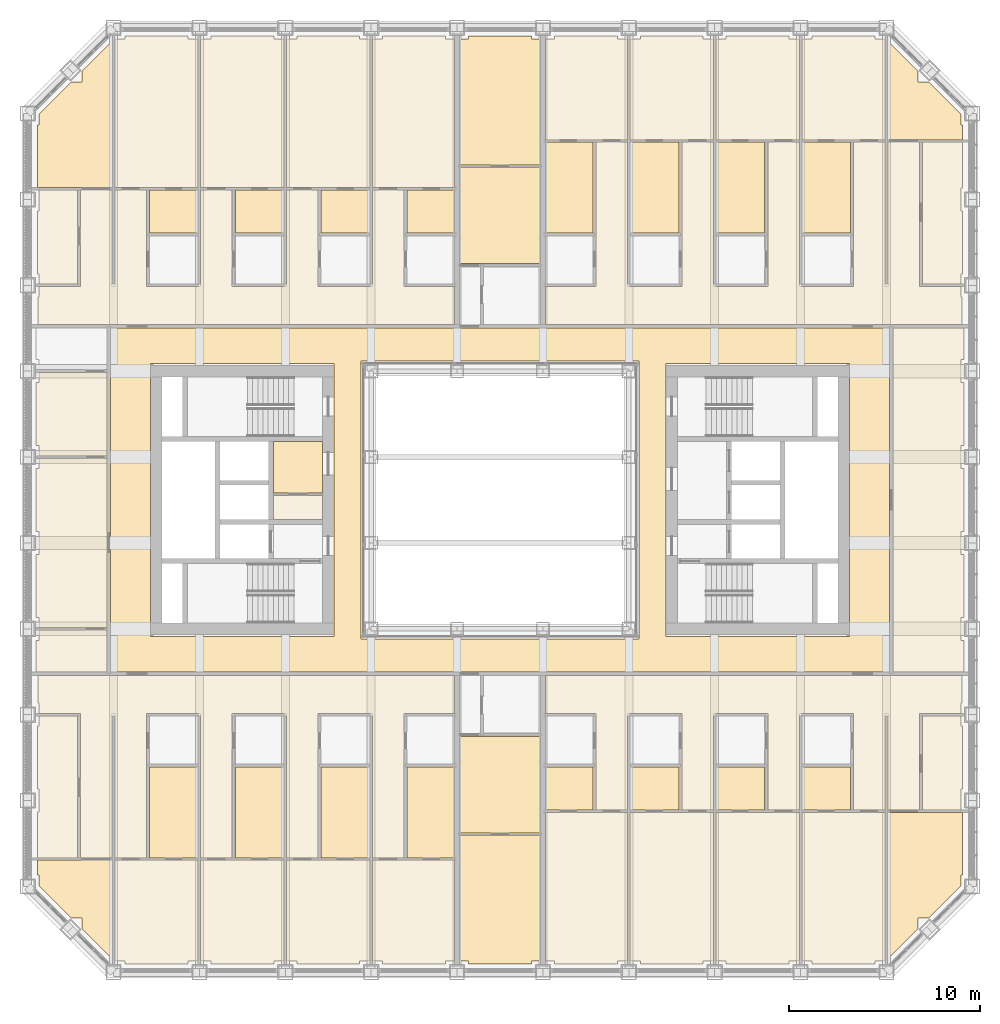
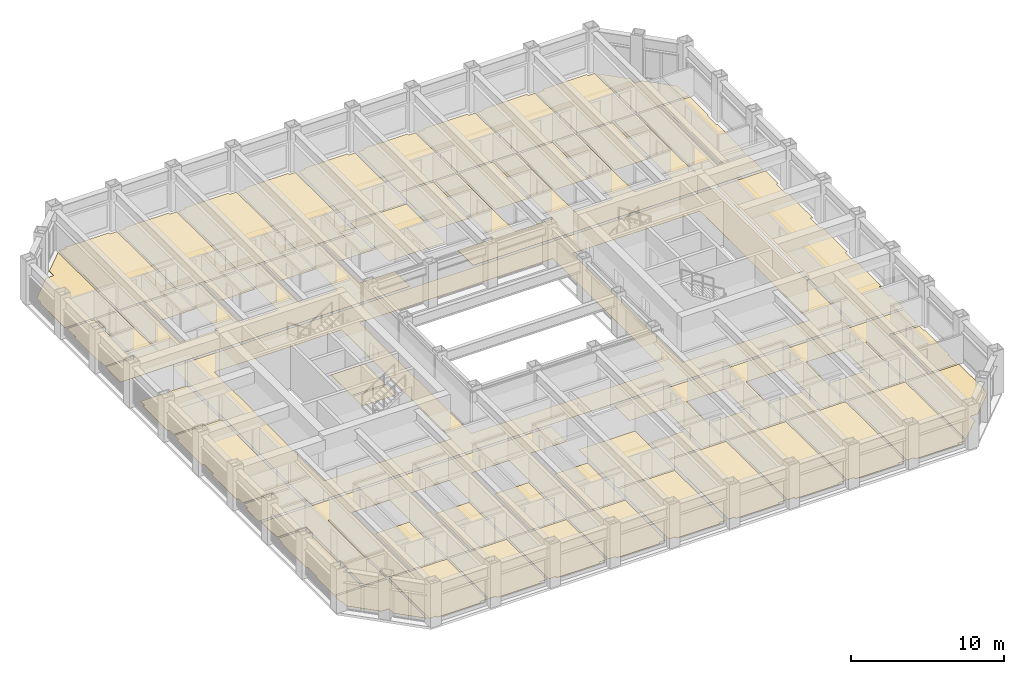
# One storey, part 19 of 21: 3 coverings.
"""IFC4 building model written with IfcOpenShell, lengths in metres."""

from ifc_helpers import new_model, si_unit, direction, frame, origin, place, context, subcontext, project, spatial, line, indexed_curve, outline, extrude, material, layer, layer_set, type_object, element, save


model = new_model("IFC4")

# Units and contexts
model_context = context("Model", 3, precision=1e-05, world=origin(), true_north=direction((0.0, 1.0)))
body_context = subcontext(model_context, "Body", "Model", "MODEL_VIEW")
ifc_project = project(units=[si_unit("LENGTHUNIT", "METRE"), si_unit("AREAUNIT", "SQUARE_METRE"), si_unit("VOLUMEUNIT", "CUBIC_METRE"), si_unit("PLANEANGLEUNIT", "RADIAN"), si_unit("MASSUNIT", "GRAM", prefix="KILO")], contexts=[model_context])

# Site, building, storey
site_placement = place(None, origin())
site = spatial("IfcSite", under=ifc_project, at=site_placement, CompositionType="ELEMENT")
building_placement = place(site_placement, origin())
building = spatial("IfcBuilding", under=site, at=building_placement, Name="Msasa Ring Tower", CompositionType="ELEMENT")
storey_placement = place(building_placement, frame((0.0, 0.0, 103.5)))
storey = spatial("IfcBuildingStorey", under=building, at=storey_placement, Name="L27", CompositionType="ELEMENT", Elevation=103.5)

# Coverings
ifc_material_1 = material(Name="Wool-blend carpet on felt underlay", Category="textile")
ifc_layer_1 = layer(ifc_material_1, 0.011962890625)
ifc_layer_set_1 = layer_set([ifc_layer_1], Name="F2 CARPET ON UNDERLAY 12")
covering_type_1 = type_object("IfcCoveringType", Name="F2 CARPET ON UNDERLAY 12", PredefinedType="FLOORING", material=ifc_layer_set_1)
covering_1_placement = place(storey_placement, origin())
element("IfcCovering", 1, at=covering_1_placement, inside=storey, type_object=covering_type_1, Name="Carpet On Underlay 12 L27", PredefinedType="FLOORING", context=body_context, shape_type="SweptSolid", body=[
    extrude(outline(indexed_curve([(-20.318115234375, -24.044921875), (-21.8994140625, -22.46337890625), (-21.8994140625, -21.8994140625), (-22.46337890625, -21.8994140625), (-24.1494140625, -20.21337890625), (-24.1494140625, -19.6494140625), (-24.23193359375, -19.6494140625), (-24.23193359375, -18.87548828125), (-20.318115234375, -18.87548828125)], segments=[line(1, 2, 3, 4, 5, 6, 7, 8, 9, 1)], self_intersect=False)), origin(), (0.0, 0.0, 1.0), 0.011962890625),
    extrude(outline(indexed_curve([(-22.46337890625, 21.8994140625), (-21.8994140625, 21.8994140625), (-21.8994140625, 22.46337890625), (-20.318115234375, 24.044921875), (-20.318115234375, 16.37548828125), (-24.23193359375, 16.37548828125), (-24.23193359375, 19.6494140625), (-24.1494140625, 19.6494140625), (-24.1494140625, 20.21337890625)], segments=[line(1, 2, 3, 4, 5, 6, 7, 8, 9, 1)], self_intersect=False)), origin(), (0.0, 0.0, 1.0), 0.011962890625),
    extrude(outline(indexed_curve([(20.3994140625, -8.99951171875), (-20.3994140625, -8.99951171875), (-20.3994140625, 8.99951171875), (20.3994140625, 8.99951171875)], segments=[line(1, 2, 3, 4, 1)], self_intersect=False), holes=[indexed_curve([(18.300537109375, -7.150390625), (18.300537109375, 7.150390625), (8.699462890625, 7.150390625), (8.699462890625, -7.150390625)], segments=[line(1, 2, 3, 4, 1)], self_intersect=False), indexed_curve([(-18.300537109375, 7.150390625), (-18.300537109375, -7.150390625), (-8.699462890625, -7.150390625), (-8.699462890625, 7.150390625)], segments=[line(1, 2, 3, 4, 1)], self_intersect=False), indexed_curve([(-7.275390625, -7.275390625), (7.275390625, -7.275390625), (7.280517578125, -7.23046875), (7.275390625, 7.275390625), (-7.275390625, 7.275390625)], segments=[line(1, 2, 3, 4, 5, 1)], self_intersect=False)]), origin(), (0.0, 0.0, 1.0), 0.011962890625),
    extrude(outline(indexed_curve([(-15.818115234375, -18.74951171875), (-18.369384765625, -18.74951171875), (-18.369384765625, -13.992919921875), (-15.818115234375, -13.992919921875)], segments=[line(1, 2, 3, 4, 1)], self_intersect=False)), origin(), (0.0, 0.0, 1.0), 0.011962890625),
    extrude(outline(indexed_curve([(-15.818115234375, 13.992919921875), (-18.369384765625, 13.992919921875), (-18.369384765625, 16.24951171875), (-15.818115234375, 16.24951171875)], segments=[line(1, 2, 3, 4, 1)], self_intersect=False)), origin(), (0.0, 0.0, 1.0), 0.011962890625),
    extrude(outline(indexed_curve([(-11.318115234375, -13.992919921875), (-11.318115234375, -18.74951171875), (-13.869384765625, -18.74951171875), (-13.869384765625, -13.992919921875)], segments=[line(1, 2, 3, 4, 1)], self_intersect=False)), origin(), (0.0, 0.0, 1.0), 0.011962890625),
    extrude(outline(indexed_curve([(-11.318115234375, 13.992919921875), (-13.869384765625, 13.992919921875), (-13.869384765625, 16.24951171875), (-11.318115234375, 16.24951171875)], segments=[line(1, 2, 3, 4, 1)], self_intersect=False)), origin(), (0.0, 0.0, 1.0), 0.011962890625),
    extrude(outline(indexed_curve([(-9.300537109375, 3.074462890625), (-9.300537109375, 0.35546875), (-11.87451171875, 0.35546875), (-11.87451171875, 3.074462890625)], segments=[line(1, 2, 3, 4, 1)], self_intersect=False)), origin(), (0.0, 0.0, 1.0), 0.011962890625),
    extrude(outline(indexed_curve([(-6.818115234375, -18.74951171875), (-9.369384765625, -18.74951171875), (-9.369384765625, -13.992919921875), (-6.818115234375, -13.992919921875)], segments=[line(1, 2, 3, 4, 1)], self_intersect=False)), origin(), (0.0, 0.0, 1.0), 0.011962890625),
    extrude(outline(indexed_curve([(-6.818115234375, 13.992919921875), (-9.369384765625, 13.992919921875), (-9.369384765625, 16.24951171875), (-6.818115234375, 16.24951171875)], segments=[line(1, 2, 3, 4, 1)], self_intersect=False)), origin(), (0.0, 0.0, 1.0), 0.011962890625),
    extrude(outline(indexed_curve([(-4.869384765625, -13.992919921875), (-2.37548828125, -13.992919921875), (-2.37548828125, -18.74951171875), (-4.869384765625, -18.74951171875)], segments=[line(1, 2, 3, 4, 1)], self_intersect=False)), origin(), (0.0, 0.0, 1.0), 0.011962890625),
    extrude(outline(indexed_curve([(-4.869384765625, 13.992919921875), (-4.869384765625, 16.24951171875), (-2.37548828125, 16.24951171875), (-2.37548828125, 13.992919921875)], segments=[line(1, 2, 3, 4, 1)], self_intersect=False)), origin(), (0.0, 0.0, 1.0), 0.011962890625),
    extrude(outline(indexed_curve([(-1.6494140625, -24.299560546875), (-1.6494140625, -24.1494140625), (-2.12451171875, -24.1494140625), (-2.12451171875, -17.555419921875), (2.12451171875, -17.555419921875), (2.12451171875, -24.1494140625), (1.6494140625, -24.1494140625), (1.6494140625, -24.299560546875)], segments=[line(1, 2, 3, 4, 5, 6, 7, 8, 1)], self_intersect=False)), origin(), (0.0, 0.0, 1.0), 0.011962890625),
    extrude(outline(indexed_curve([(-2.12451171875, -17.444580078125), (-2.12451171875, -12.380615234375), (2.12451171875, -12.380615234375), (2.12451171875, -17.444580078125)], segments=[line(1, 2, 3, 4, 1)], self_intersect=False)), origin(), (0.0, 0.0, 1.0), 0.011962890625),
    extrude(outline(indexed_curve([(-2.12451171875, 12.380615234375), (-2.12451171875, 17.444580078125), (2.12451171875, 17.444580078125), (2.12451171875, 12.380615234375)], segments=[line(1, 2, 3, 4, 1)], self_intersect=False)), origin(), (0.0, 0.0, 1.0), 0.011962890625),
    extrude(outline(indexed_curve([(1.6494140625, 24.299560546875), (1.6494140625, 24.1494140625), (2.12451171875, 24.1494140625), (2.12451171875, 17.555419921875), (-2.12451171875, 17.555419921875), (-2.12451171875, 24.1494140625), (-1.6494140625, 24.1494140625), (-1.6494140625, 24.299560546875)], segments=[line(1, 2, 3, 4, 5, 6, 7, 8, 1)], self_intersect=False)), origin(), (0.0, 0.0, 1.0), 0.011962890625),
    extrude(outline(indexed_curve([(4.869384765625, -16.24951171875), (2.37548828125, -16.24951171875), (2.37548828125, -13.992919921875), (4.869384765625, -13.992919921875)], segments=[line(1, 2, 3, 4, 1)], self_intersect=False)), origin(), (0.0, 0.0, 1.0), 0.011962890625),
    extrude(outline(indexed_curve([(4.869384765625, 13.992919921875), (2.37548828125, 13.992919921875), (2.37548828125, 18.74951171875), (4.869384765625, 18.74951171875)], segments=[line(1, 2, 3, 4, 1)], self_intersect=False)), origin(), (0.0, 0.0, 1.0), 0.011962890625),
    extrude(outline(indexed_curve([(9.369384765625, -16.24951171875), (6.818115234375, -16.24951171875), (6.818115234375, -13.992919921875), (9.369384765625, -13.992919921875)], segments=[line(1, 2, 3, 4, 1)], self_intersect=False)), origin(), (0.0, 0.0, 1.0), 0.011962890625),
    extrude(outline(indexed_curve([(9.369384765625, 13.992919921875), (6.818115234375, 13.992919921875), (6.818115234375, 18.74951171875), (9.369384765625, 18.74951171875)], segments=[line(1, 2, 3, 4, 1)], self_intersect=False)), origin(), (0.0, 0.0, 1.0), 0.011962890625),
    extrude(outline(indexed_curve([(13.869384765625, -13.992919921875), (13.869384765625, -16.24951171875), (11.318115234375, -16.24951171875), (11.318115234375, -13.992919921875)], segments=[line(1, 2, 3, 4, 1)], self_intersect=False)), origin(), (0.0, 0.0, 1.0), 0.011962890625),
    extrude(outline(indexed_curve([(13.869384765625, 13.992919921875), (11.318115234375, 13.992919921875), (11.318115234375, 18.74951171875), (13.869384765625, 18.74951171875)], segments=[line(1, 2, 3, 4, 1)], self_intersect=False)), origin(), (0.0, 0.0, 1.0), 0.011962890625),
    extrude(outline(indexed_curve([(18.369384765625, -16.24951171875), (15.818115234375, -16.24951171875), (15.818115234375, -13.992919921875), (18.369384765625, -13.992919921875)], segments=[line(1, 2, 3, 4, 1)], self_intersect=False)), origin(), (0.0, 0.0, 1.0), 0.011962890625),
    extrude(outline(indexed_curve([(18.369384765625, 13.992919921875), (15.818115234375, 13.992919921875), (15.818115234375, 18.74951171875), (18.369384765625, 18.74951171875)], segments=[line(1, 2, 3, 4, 1)], self_intersect=False)), origin(), (0.0, 0.0, 1.0), 0.011962890625),
    extrude(outline(indexed_curve([(24.23193359375, -19.6494140625), (24.1494140625, -19.6494140625), (24.1494140625, -20.21337890625), (22.46337890625, -21.8994140625), (21.8994140625, -21.8994140625), (21.8994140625, -22.46337890625), (20.318115234375, -24.044921875), (20.318115234375, -16.37548828125), (24.23193359375, -16.37548828125)], segments=[line(1, 2, 3, 4, 5, 6, 7, 8, 9, 1)], self_intersect=False)), origin(), (0.0, 0.0, 1.0), 0.011962890625),
    extrude(outline(indexed_curve([(21.8994140625, 22.46337890625), (21.8994140625, 21.8994140625), (22.46337890625, 21.8994140625), (24.1494140625, 20.21337890625), (24.1494140625, 19.6494140625), (24.23193359375, 19.6494140625), (24.23193359375, 18.87548828125), (20.318115234375, 18.87548828125), (20.318115234375, 24.044921875)], segments=[line(1, 2, 3, 4, 5, 6, 7, 8, 9, 1)], self_intersect=False)), origin(), (0.0, 0.0, 1.0), 0.011962890625),
])
ifc_material_2 = material(Name="Engineered oak boards on an acoustic underlay", Category="wood")
ifc_layer_2 = layer(ifc_material_2, 0.01806640625)
ifc_layer_set_2 = layer_set([ifc_layer_2], Name="F3 ENGINEERED TIMBER ON ACOUSTIC UNDERLAY 18")
covering_type_2 = type_object("IfcCoveringType", Name="F3 ENGINEERED TIMBER ON ACOUSTIC UNDERLAY 18", PredefinedType="FLOORING", material=ifc_layer_set_2)
covering_2_placement = place(storey_placement, origin())
element("IfcCovering", 2, at=covering_2_placement, inside=storey, type_object=covering_type_2, Name="Engineered Timber On Acoustic Underlay 18 L27", PredefinedType="FLOORING", context=body_context, shape_type="SweptSolid", body=[
    extrude(outline(indexed_curve([(-24.1494140625, -6.694580078125), (-24.1494140625, -6.1494140625), (-24.299560546875, -6.1494140625), (-24.299560546875, -2.8505859375), (-24.1494140625, -2.8505859375), (-24.1494140625, -1.6494140625), (-24.299560546875, -1.6494140625), (-24.299560546875, 1.6494140625), (-24.1494140625, 1.6494140625), (-24.1494140625, 2.194580078125), (-20.6005859375, 2.194580078125), (-20.6005859375, -6.694580078125)], segments=[line(1, 2, 3, 4, 5, 6, 7, 8, 9, 10, 11, 12, 1)], self_intersect=False)), origin(), (0.0, 0.0, 1.0), 0.01806640625),
    extrude(outline(indexed_curve([(-24.299560546875, 6.1494140625), (-24.1494140625, 6.1494140625), (-24.1494140625, 6.66943359375), (-20.6005859375, 6.66943359375), (-20.6005859375, 2.305419921875), (-24.1494140625, 2.305419921875), (-24.1494140625, 2.8505859375), (-24.299560546875, 2.8505859375)], segments=[line(1, 2, 3, 4, 5, 6, 7, 8, 1)], self_intersect=False)), origin(), (0.0, 0.0, 1.0), 0.01806640625),
    extrude(outline(indexed_curve([(-11.181884765625, -11.18701171875), (-14.030517578125, -11.18701171875), (-14.030517578125, -18.74951171875), (-15.681884765625, -18.74951171875), (-15.681884765625, -11.18701171875), (-18.530517578125, -11.18701171875), (-18.530517578125, -18.74951171875), (-20.181884765625, -18.74951171875), (-20.181884765625, -11.18701171875), (-20.318115234375, -11.18701171875), (-20.318115234375, -18.74951171875), (-21.969482421875, -18.74951171875), (-21.969482421875, -11.18701171875), (-24.1494140625, -11.18701171875), (-24.1494140625, -10.6494140625), (-24.199462890625, -10.6494140625), (-24.199462890625, -9.200439453125), (-2.37548828125, -9.200439453125), (-2.37548828125, -11.18701171875), (-5.030517578125, -11.18701171875), (-5.030517578125, -18.74951171875), (-6.681884765625, -18.74951171875), (-6.681884765625, -11.18701171875), (-9.530517578125, -11.18701171875), (-9.530517578125, -18.74951171875), (-11.181884765625, -18.74951171875)], segments=[line(1, 2, 3, 4, 5, 6, 7, 8, 9, 10, 11, 12, 13, 14, 15, 16, 17, 18, 19, 20, 21, 22, 23, 24, 25, 26, 1)], self_intersect=False)), origin(), (0.0, 0.0, 1.0), 0.01806640625),
    extrude(outline(indexed_curve([(-18.530517578125, 11.18701171875), (-15.681884765625, 11.18701171875), (-15.681884765625, 16.24951171875), (-14.030517578125, 16.24951171875), (-14.030517578125, 11.18701171875), (-11.181884765625, 11.18701171875), (-11.181884765625, 16.24951171875), (-9.530517578125, 16.24951171875), (-9.530517578125, 11.18701171875), (-6.681884765625, 11.18701171875), (-6.681884765625, 16.24951171875), (-5.030517578125, 16.24951171875), (-5.030517578125, 11.18701171875), (-2.37548828125, 11.18701171875), (-2.37548828125, 9.200439453125), (-24.199462890625, 9.200439453125), (-24.199462890625, 10.6494140625), (-24.1494140625, 10.6494140625), (-24.1494140625, 11.18701171875), (-21.969482421875, 11.18701171875), (-21.969482421875, 16.24951171875), (-20.318115234375, 16.24951171875), (-20.318115234375, 11.18701171875), (-20.181884765625, 11.18701171875), (-20.181884765625, 16.24951171875), (-18.530517578125, 16.24951171875)], segments=[line(1, 2, 3, 4, 5, 6, 7, 8, 9, 10, 11, 12, 13, 14, 15, 16, 17, 18, 19, 20, 21, 22, 23, 24, 25, 26, 1)], self_intersect=False)), origin(), (0.0, 0.0, 1.0), 0.01806640625),
    extrude(outline(indexed_curve([(-15.818115234375, -24.1494140625), (-16.3505859375, -24.1494140625), (-16.3505859375, -24.299560546875), (-19.6494140625, -24.299560546875), (-19.6494140625, -24.1494140625), (-20.181884765625, -24.1494140625), (-20.181884765625, -18.87548828125), (-15.818115234375, -18.87548828125)], segments=[line(1, 2, 3, 4, 5, 6, 7, 8, 1)], self_intersect=False)), origin(), (0.0, 0.0, 1.0), 0.01806640625),
    extrude(outline(indexed_curve([(-20.181884765625, 24.1494140625), (-19.6494140625, 24.1494140625), (-19.6494140625, 24.299560546875), (-16.3505859375, 24.299560546875), (-16.3505859375, 24.1494140625), (-15.818115234375, 24.1494140625), (-15.818115234375, 16.37548828125), (-20.181884765625, 16.37548828125)], segments=[line(1, 2, 3, 4, 5, 6, 7, 8, 1)], self_intersect=False)), origin(), (0.0, 0.0, 1.0), 0.01806640625),
    extrude(outline(indexed_curve([(-11.318115234375, -24.1494140625), (-11.8505859375, -24.1494140625), (-11.8505859375, -24.299560546875), (-15.1494140625, -24.299560546875), (-15.1494140625, -24.1494140625), (-15.681884765625, -24.1494140625), (-15.681884765625, -18.87548828125), (-11.318115234375, -18.87548828125)], segments=[line(1, 2, 3, 4, 5, 6, 7, 8, 1)], self_intersect=False)), origin(), (0.0, 0.0, 1.0), 0.01806640625),
    extrude(outline(indexed_curve([(-11.8505859375, 24.299560546875), (-11.8505859375, 24.1494140625), (-11.318115234375, 24.1494140625), (-11.318115234375, 16.37548828125), (-15.681884765625, 16.37548828125), (-15.681884765625, 24.1494140625), (-15.1494140625, 24.1494140625), (-15.1494140625, 24.299560546875)], segments=[line(1, 2, 3, 4, 5, 6, 7, 8, 1)], self_intersect=False)), origin(), (0.0, 0.0, 1.0), 0.01806640625),
    extrude(outline(indexed_curve([(-6.818115234375, -24.1494140625), (-7.3505859375, -24.1494140625), (-7.3505859375, -24.299560546875), (-10.6494140625, -24.299560546875), (-10.6494140625, -24.1494140625), (-11.181884765625, -24.1494140625), (-11.181884765625, -18.87548828125), (-6.818115234375, -18.87548828125)], segments=[line(1, 2, 3, 4, 5, 6, 7, 8, 1)], self_intersect=False)), origin(), (0.0, 0.0, 1.0), 0.01806640625),
    extrude(outline(indexed_curve([(-7.3505859375, 24.299560546875), (-7.3505859375, 24.1494140625), (-6.818115234375, 24.1494140625), (-6.818115234375, 16.37548828125), (-11.181884765625, 16.37548828125), (-11.181884765625, 24.1494140625), (-10.6494140625, 24.1494140625), (-10.6494140625, 24.299560546875)], segments=[line(1, 2, 3, 4, 5, 6, 7, 8, 1)], self_intersect=False)), origin(), (0.0, 0.0, 1.0), 0.01806640625),
    extrude(outline(indexed_curve([(-6.1494140625, -24.299560546875), (-6.1494140625, -24.1494140625), (-6.681884765625, -24.1494140625), (-6.681884765625, -18.87548828125), (-2.37548828125, -18.87548828125), (-2.37548828125, -24.1494140625), (-2.8505859375, -24.1494140625), (-2.8505859375, -24.299560546875)], segments=[line(1, 2, 3, 4, 5, 6, 7, 8, 1)], self_intersect=False)), origin(), (0.0, 0.0, 1.0), 0.01806640625),
    extrude(outline(indexed_curve([(-2.8505859375, 24.299560546875), (-2.8505859375, 24.1494140625), (-2.37548828125, 24.1494140625), (-2.37548828125, 16.37548828125), (-6.681884765625, 16.37548828125), (-6.681884765625, 24.1494140625), (-6.1494140625, 24.1494140625), (-6.1494140625, 24.299560546875)], segments=[line(1, 2, 3, 4, 5, 6, 7, 8, 1)], self_intersect=False)), origin(), (0.0, 0.0, 1.0), 0.01806640625),
    extrude(outline(indexed_curve([(6.681884765625, -24.1494140625), (6.1494140625, -24.1494140625), (6.1494140625, -24.299560546875), (2.8505859375, -24.299560546875), (2.8505859375, -24.1494140625), (2.37548828125, -24.1494140625), (2.37548828125, -16.37548828125), (6.681884765625, -16.37548828125)], segments=[line(1, 2, 3, 4, 5, 6, 7, 8, 1)], self_intersect=False)), origin(), (0.0, 0.0, 1.0), 0.01806640625),
    extrude(outline(indexed_curve([(18.530517578125, -11.18701171875), (15.681884765625, -11.18701171875), (15.681884765625, -16.24951171875), (14.030517578125, -16.24951171875), (14.030517578125, -11.18701171875), (11.181884765625, -11.18701171875), (11.181884765625, -16.24951171875), (9.530517578125, -16.24951171875), (9.530517578125, -11.18701171875), (6.681884765625, -11.18701171875), (6.681884765625, -16.24951171875), (5.030517578125, -16.24951171875), (5.030517578125, -11.18701171875), (2.37548828125, -11.18701171875), (2.37548828125, -9.200439453125), (24.199462890625, -9.200439453125), (24.199462890625, -10.6494140625), (24.1494140625, -10.6494140625), (24.1494140625, -11.18701171875), (21.969482421875, -11.18701171875), (21.969482421875, -16.24951171875), (20.318115234375, -16.24951171875), (20.318115234375, -11.18701171875), (20.181884765625, -11.18701171875), (20.181884765625, -16.24951171875), (18.530517578125, -16.24951171875)], segments=[line(1, 2, 3, 4, 5, 6, 7, 8, 9, 10, 11, 12, 13, 14, 15, 16, 17, 18, 19, 20, 21, 22, 23, 24, 25, 26, 1)], self_intersect=False)), origin(), (0.0, 0.0, 1.0), 0.01806640625),
    extrude(outline(indexed_curve([(11.181884765625, 11.18701171875), (14.030517578125, 11.18701171875), (14.030517578125, 18.74951171875), (15.681884765625, 18.74951171875), (15.681884765625, 11.18701171875), (18.530517578125, 11.18701171875), (18.530517578125, 18.74951171875), (20.181884765625, 18.74951171875), (20.181884765625, 11.18701171875), (20.318115234375, 11.18701171875), (20.318115234375, 18.74951171875), (21.969482421875, 18.74951171875), (21.969482421875, 11.18701171875), (24.1494140625, 11.18701171875), (24.1494140625, 10.6494140625), (24.199462890625, 10.6494140625), (24.199462890625, 9.200439453125), (2.37548828125, 9.200439453125), (2.37548828125, 11.18701171875), (5.030517578125, 11.18701171875), (5.030517578125, 18.74951171875), (6.681884765625, 18.74951171875), (6.681884765625, 11.18701171875), (9.530517578125, 11.18701171875), (9.530517578125, 18.74951171875), (11.181884765625, 18.74951171875)], segments=[line(1, 2, 3, 4, 5, 6, 7, 8, 9, 10, 11, 12, 13, 14, 15, 16, 17, 18, 19, 20, 21, 22, 23, 24, 25, 26, 1)], self_intersect=False)), origin(), (0.0, 0.0, 1.0), 0.01806640625),
    extrude(outline(indexed_curve([(6.1494140625, 24.299560546875), (6.1494140625, 24.1494140625), (6.681884765625, 24.1494140625), (6.681884765625, 18.87548828125), (2.37548828125, 18.87548828125), (2.37548828125, 24.1494140625), (2.8505859375, 24.1494140625), (2.8505859375, 24.299560546875)], segments=[line(1, 2, 3, 4, 5, 6, 7, 8, 1)], self_intersect=False)), origin(), (0.0, 0.0, 1.0), 0.01806640625),
    extrude(outline(indexed_curve([(11.181884765625, -24.1494140625), (10.6494140625, -24.1494140625), (10.6494140625, -24.299560546875), (7.3505859375, -24.299560546875), (7.3505859375, -24.1494140625), (6.818115234375, -24.1494140625), (6.818115234375, -16.37548828125), (11.181884765625, -16.37548828125)], segments=[line(1, 2, 3, 4, 5, 6, 7, 8, 1)], self_intersect=False)), origin(), (0.0, 0.0, 1.0), 0.01806640625),
    extrude(outline(indexed_curve([(6.818115234375, 24.1494140625), (7.3505859375, 24.1494140625), (7.3505859375, 24.299560546875), (10.6494140625, 24.299560546875), (10.6494140625, 24.1494140625), (11.181884765625, 24.1494140625), (11.181884765625, 18.87548828125), (6.818115234375, 18.87548828125)], segments=[line(1, 2, 3, 4, 5, 6, 7, 8, 1)], self_intersect=False)), origin(), (0.0, 0.0, 1.0), 0.01806640625),
    extrude(outline(indexed_curve([(15.681884765625, -24.1494140625), (15.1494140625, -24.1494140625), (15.1494140625, -24.299560546875), (11.8505859375, -24.299560546875), (11.8505859375, -24.1494140625), (11.318115234375, -24.1494140625), (11.318115234375, -16.37548828125), (15.681884765625, -16.37548828125)], segments=[line(1, 2, 3, 4, 5, 6, 7, 8, 1)], self_intersect=False)), origin(), (0.0, 0.0, 1.0), 0.01806640625),
    extrude(outline(indexed_curve([(15.1494140625, 24.299560546875), (15.1494140625, 24.1494140625), (15.681884765625, 24.1494140625), (15.681884765625, 18.87548828125), (11.318115234375, 18.87548828125), (11.318115234375, 24.1494140625), (11.8505859375, 24.1494140625), (11.8505859375, 24.299560546875)], segments=[line(1, 2, 3, 4, 5, 6, 7, 8, 1)], self_intersect=False)), origin(), (0.0, 0.0, 1.0), 0.01806640625),
    extrude(outline(indexed_curve([(20.181884765625, -24.1494140625), (19.6494140625, -24.1494140625), (19.6494140625, -24.299560546875), (16.3505859375, -24.299560546875), (16.3505859375, -24.1494140625), (15.818115234375, -24.1494140625), (15.818115234375, -16.37548828125), (20.181884765625, -16.37548828125)], segments=[line(1, 2, 3, 4, 5, 6, 7, 8, 1)], self_intersect=False)), origin(), (0.0, 0.0, 1.0), 0.01806640625),
    extrude(outline(indexed_curve([(15.818115234375, 24.1494140625), (16.3505859375, 24.1494140625), (16.3505859375, 24.299560546875), (19.6494140625, 24.299560546875), (19.6494140625, 24.1494140625), (20.181884765625, 24.1494140625), (20.181884765625, 18.87548828125), (15.818115234375, 18.87548828125)], segments=[line(1, 2, 3, 4, 5, 6, 7, 8, 1)], self_intersect=False)), origin(), (0.0, 0.0, 1.0), 0.01806640625),
])
ifc_material_3 = material(Name="Welded vinyl safety sheet flooring", Category="vinyl")
ifc_layer_3 = layer(ifc_material_3, 0.0029296875)
ifc_layer_set_3 = layer_set([ifc_layer_3], Name="F5 RESILIENT SHEET FLOORING 3")
covering_type_3 = type_object("IfcCoveringType", Name="F5 RESILIENT SHEET FLOORING 3", PredefinedType="FLOORING", material=ifc_layer_set_3)
covering_3_placement = place(storey_placement, origin())
element("IfcCovering", 3, at=covering_3_placement, inside=storey, type_object=covering_type_3, Name="Resilient Sheet Flooring 3 L27", PredefinedType="FLOORING", context=body_context, shape_type="SweptSolid", body=[
    extrude(outline(indexed_curve([(-20.6005859375, -8.99951171875), (-24.299560546875, -8.99951171875), (-24.299560546875, -7.3505859375), (-24.1494140625, -7.3505859375), (-24.1494140625, -6.805419921875), (-20.6005859375, -6.805419921875)], segments=[line(1, 2, 3, 4, 5, 6, 1)], self_intersect=False)), origin(), (0.0, 0.0, 1.0), 0.0029296875),
    extrude(outline(indexed_curve([(-24.23193359375, -16.3505859375), (-24.1494140625, -16.3505859375), (-24.1494140625, -15.1494140625), (-24.23193359375, -15.1494140625), (-24.23193359375, -11.8505859375), (-24.1494140625, -11.8505859375), (-24.1494140625, -11.318115234375), (-22.130615234375, -11.318115234375), (-22.130615234375, -18.74951171875), (-24.23193359375, -18.74951171875)], segments=[line(1, 2, 3, 4, 5, 6, 7, 8, 9, 10, 1)], self_intersect=False)), origin(), (0.0, 0.0, 1.0), 0.0029296875),
    extrude(outline(indexed_curve([(-24.23193359375, 15.1494140625), (-24.1494140625, 15.1494140625), (-24.1494140625, 16.24951171875), (-22.130615234375, 16.24951171875), (-22.130615234375, 11.318115234375), (-24.1494140625, 11.318115234375), (-24.1494140625, 11.8505859375), (-24.23193359375, 11.8505859375)], segments=[line(1, 2, 3, 4, 5, 6, 7, 8, 1)], self_intersect=False)), origin(), (0.0, 0.0, 1.0), 0.0029296875),
    extrude(outline(indexed_curve([(-11.87451171875, 0.244384765625), (-9.300537109375, 0.244384765625), (-9.300537109375, -1.0244140625), (-11.87451171875, -1.0244140625)], segments=[line(1, 2, 3, 4, 1)], self_intersect=False)), origin(), (0.0, 0.0, 1.0), 0.0029296875),
    extrude(outline(indexed_curve([(20.6005859375, -8.99951171875), (20.6005859375, 8.99951171875), (24.299560546875, 8.99951171875), (24.299560546875, 7.3505859375), (24.1494140625, 7.3505859375), (24.1494140625, 6.1494140625), (24.299560546875, 6.1494140625), (24.299560546875, 2.8505859375), (24.1494140625, 2.8505859375), (24.1494140625, 1.6494140625), (24.299560546875, 1.6494140625), (24.299560546875, -1.6494140625), (24.1494140625, -1.6494140625), (24.1494140625, -2.8505859375), (24.299560546875, -2.8505859375), (24.299560546875, -6.1494140625), (24.1494140625, -6.1494140625), (24.1494140625, -7.3505859375), (24.299560546875, -7.3505859375), (24.299560546875, -8.99951171875)], segments=[line(1, 2, 3, 4, 5, 6, 7, 8, 9, 10, 11, 12, 13, 14, 15, 16, 17, 18, 19, 20, 1)], self_intersect=False)), origin(), (0.0, 0.0, 1.0), 0.0029296875),
    extrude(outline(indexed_curve([(22.130615234375, -11.318115234375), (24.1494140625, -11.318115234375), (24.1494140625, -11.8505859375), (24.23193359375, -11.8505859375), (24.23193359375, -15.1494140625), (24.1494140625, -15.1494140625), (24.1494140625, -16.24951171875), (22.130615234375, -16.24951171875)], segments=[line(1, 2, 3, 4, 5, 6, 7, 8, 1)], self_intersect=False)), origin(), (0.0, 0.0, 1.0), 0.0029296875),
    extrude(outline(indexed_curve([(22.130615234375, 18.74951171875), (24.23193359375, 18.74951171875), (24.23193359375, 16.3505859375), (24.1494140625, 16.3505859375), (24.1494140625, 15.1494140625), (24.23193359375, 15.1494140625), (24.23193359375, 11.8505859375), (24.1494140625, 11.8505859375), (24.1494140625, 11.318115234375), (22.130615234375, 11.318115234375)], segments=[line(1, 2, 3, 4, 5, 6, 7, 8, 9, 10, 1)], self_intersect=False)), origin(), (0.0, 0.0, 1.0), 0.0029296875),
])

save(model, "model.ifc")
